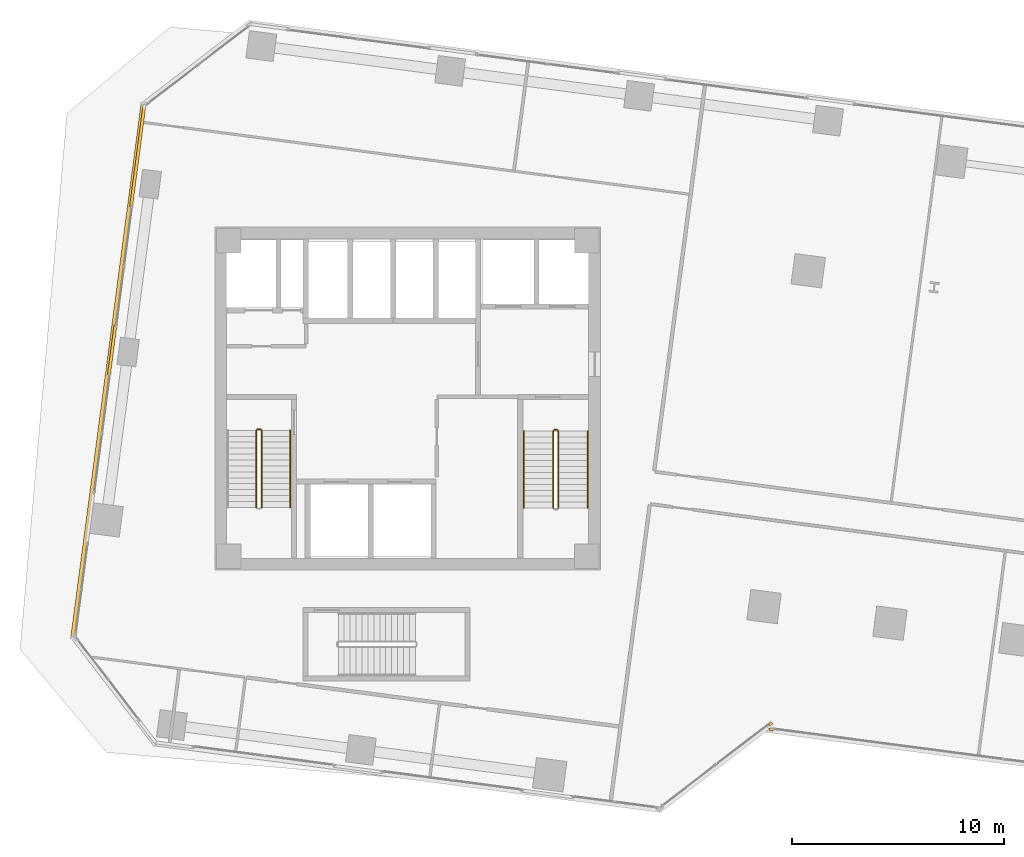
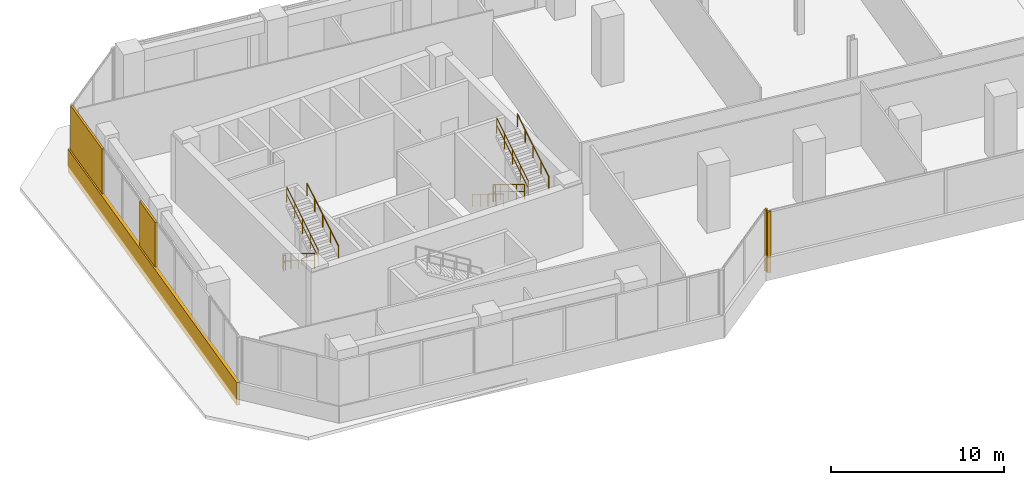
# One storey, part 22 of 24: 9 railings, 5 coverings.
"""IFC4 building model written with IfcOpenShell, lengths in metres."""

from ifc_helpers import new_model, si_unit, direction, frame, origin, origin_2d, place, context, subcontext, project, spatial, rectangle, circle, extrude, source, transform, mapped, material, layer, layer_set, type_object, element, save


model = new_model("IFC4")

# Units and contexts
model_context = context("Model", 3, precision=1e-05, world=origin(), true_north=direction((0.0, 1.0)))
body_context = subcontext(model_context, "Body", "Model", "MODEL_VIEW")
ifc_project = project(units=[si_unit("LENGTHUNIT", "METRE"), si_unit("AREAUNIT", "SQUARE_METRE"), si_unit("VOLUMEUNIT", "CUBIC_METRE"), si_unit("PLANEANGLEUNIT", "RADIAN"), si_unit("MASSUNIT", "GRAM", prefix="KILO")], contexts=[model_context])

# Site, building, storey
site_placement = place(None, origin())
site = spatial("IfcSite", under=ifc_project, at=site_placement, CompositionType="ELEMENT")
building_placement = place(site_placement, origin())
building = spatial("IfcBuilding", under=site, at=building_placement, Name="Torre Montelarca", CompositionType="ELEMENT")
storey_placement = place(building_placement, frame((0.0, 0.0, 61.60009765625)))
storey = spatial("IfcBuildingStorey", under=building, at=storey_placement, Name="L13", CompositionType="ELEMENT", Elevation=61.60009765625)

# Railings
ifc_material_1 = material(Name="Powder-coated steel ASTM A500 Grade C", Category="steel")
railing_type_1 = type_object("IfcRailingType", Name="RL-GUARD-1100", PredefinedType="BALUSTRADE", material=ifc_material_1)
railing_1_placement = place(storey_placement, frame((10.85009765625, 30.5, 0.17138671875)))
element("IfcRailing", 1, at=railing_1_placement, inside=storey, type_object=railing_type_1, Name="L13 ST1 stair guard 1", PredefinedType="BALUSTRADE", context=body_context, shape_type="SweptSolid", body=[
    extrude(circle(Radius=0.02392578125, at=origin_2d()), frame((0.0, 0.0, 1.076171875), z_axis=(0.0, -0.852850264322, 0.5221555579), x_axis=(1.0, 0.0, 0.0)), (0.0, 0.0, 1.0), 4.267822265625),
    extrude(circle(Radius=0.02099609375, at=origin_2d()), frame((0.0, 0.0, 0.572021484375), z_axis=(0.0, -0.852850264322, 0.5221555579), x_axis=(1.0, 0.0, 0.0)), (0.0, 0.0, 1.0), 4.267822265625),
    extrude(circle(Radius=0.02099609375, at=origin_2d()), origin(), (0.0, 0.0, 1.0), 1.052001953125),
    extrude(circle(Radius=0.02099609375, at=origin_2d()), frame((0.0, -0.909912109375, 0.55712890625)), (0.0, 0.0, 1.0), 1.052001953125),
    extrude(circle(Radius=0.02099609375, at=origin_2d()), frame((0.0, -1.81982421875, 1.1142578125)), (0.0, 0.0, 1.0), 1.052001953125),
    extrude(circle(Radius=0.02099609375, at=origin_2d()), frame((0.0, -2.72998046875, 1.67138671875)), (0.0, 0.0, 1.0), 1.052001953125),
    extrude(circle(Radius=0.02099609375, at=origin_2d()), frame((0.0, -3.639892578125, 2.228515625)), (0.0, 0.0, 1.0), 1.052001953125),
])
railing_2_placement = place(storey_placement, frame((11.10009765625, 26.860107421875, 2.5712890625)))
element("IfcRailing", 2, at=railing_2_placement, inside=storey, type_object=railing_type_1, Name="L13 ST1 stair guard 3", PredefinedType="BALUSTRADE", context=body_context, shape_type="SweptSolid", body=[
    extrude(circle(Radius=0.02392578125, at=origin_2d()), frame((0.0, 0.0, 1.076171875), z_axis=(0.0, 0.852850264322, 0.5221555579), x_axis=(-1.0, 0.0, 0.0)), (0.0, 0.0, 1.0), 4.267822265625),
    extrude(circle(Radius=0.02099609375, at=origin_2d()), frame((0.0, 0.0, 0.572021484375), z_axis=(0.0, 0.852850264322, 0.5221555579), x_axis=(-1.0, 0.0, 0.0)), (0.0, 0.0, 1.0), 4.267822265625),
    extrude(circle(Radius=0.02099609375, at=origin_2d()), origin(), (0.0, 0.0, 1.0), 1.052001953125),
    extrude(circle(Radius=0.02099609375, at=origin_2d()), frame((0.0, 0.909912109375, 0.55712890625)), (0.0, 0.0, 1.0), 1.052001953125),
    extrude(circle(Radius=0.02099609375, at=origin_2d()), frame((0.0, 1.81982421875, 1.1142578125)), (0.0, 0.0, 1.0), 1.052001953125),
    extrude(circle(Radius=0.02099609375, at=origin_2d()), frame((0.0, 2.72998046875, 1.67138671875)), (0.0, 0.0, 1.0), 1.052001953125),
    extrude(circle(Radius=0.02099609375, at=origin_2d()), frame((0.0, 3.639892578125, 2.228515625)), (0.0, 0.0, 1.0), 1.052001953125),
])
railing_3_placement = place(storey_placement, frame((10.89990234375, 30.550048828125, 0.0)))
element("IfcRailing", 3, at=railing_3_placement, inside=storey, type_object=railing_type_1, Name="L13 ST1 stair guard 4", PredefinedType="BALUSTRADE", context=body_context, shape_type="SweptSolid", body=[
    extrude(circle(Radius=0.02392578125, at=origin_2d()), frame((0.0, 0.0, 1.076171875), z_axis=(1.0, 0.0, 0.0), x_axis=(0.0, 1.0, 0.0)), (0.0, 0.0, 1.0), 0.150146484375),
    extrude(circle(Radius=0.02099609375, at=origin_2d()), frame((0.0, 0.0, 0.572021484375), z_axis=(1.0, 0.0, 0.0), x_axis=(0.0, 1.0, 0.0)), (0.0, 0.0, 1.0), 0.150146484375),
    extrude(circle(Radius=0.02099609375, at=origin_2d()), origin(), (0.0, 0.0, 1.0), 1.052001953125),
    extrude(circle(Radius=0.02099609375, at=origin_2d()), frame((0.150146484375, 0.0, 0.0)), (0.0, 0.0, 1.0), 1.052001953125),
])
railing_4_placement = place(storey_placement, frame((24.8701171875, 30.469970703125, 0.17138671875)))
element("IfcRailing", 4, at=railing_4_placement, inside=storey, type_object=railing_type_1, Name="L13 ST2 stair guard 1", PredefinedType="BALUSTRADE", context=body_context, shape_type="SweptSolid", body=[
    extrude(circle(Radius=0.02392578125, at=origin_2d()), frame((0.0, 0.0, 1.076171875), z_axis=(0.0, -0.852850264322, 0.5221555579), x_axis=(1.0, 0.0, 0.0)), (0.0, 0.0, 1.0), 4.267822265625),
    extrude(circle(Radius=0.02099609375, at=origin_2d()), frame((0.0, 0.0, 0.572021484375), z_axis=(0.0, -0.852850264322, 0.5221555579), x_axis=(1.0, 0.0, 0.0)), (0.0, 0.0, 1.0), 4.267822265625),
    extrude(circle(Radius=0.02099609375, at=origin_2d()), origin(), (0.0, 0.0, 1.0), 1.052001953125),
    extrude(circle(Radius=0.02099609375, at=origin_2d()), frame((0.0, -0.909912109375, 0.55712890625)), (0.0, 0.0, 1.0), 1.052001953125),
    extrude(circle(Radius=0.02099609375, at=origin_2d()), frame((0.0, -1.81982421875, 1.1142578125)), (0.0, 0.0, 1.0), 1.052001953125),
    extrude(circle(Radius=0.02099609375, at=origin_2d()), frame((0.0, -2.72998046875, 1.67138671875)), (0.0, 0.0, 1.0), 1.052001953125),
    extrude(circle(Radius=0.02099609375, at=origin_2d()), frame((0.0, -3.639892578125, 2.228515625)), (0.0, 0.0, 1.0), 1.052001953125),
])
railing_5_placement = place(storey_placement, frame((25.1201171875, 26.830078125, 2.5712890625)))
element("IfcRailing", 5, at=railing_5_placement, inside=storey, type_object=railing_type_1, Name="L13 ST2 stair guard 3", PredefinedType="BALUSTRADE", context=body_context, shape_type="SweptSolid", body=[
    extrude(circle(Radius=0.02392578125, at=origin_2d()), frame((0.0, 0.0, 1.076171875), z_axis=(0.0, 0.852850264322, 0.5221555579), x_axis=(-1.0, 0.0, 0.0)), (0.0, 0.0, 1.0), 4.267822265625),
    extrude(circle(Radius=0.02099609375, at=origin_2d()), frame((0.0, 0.0, 0.572021484375), z_axis=(0.0, 0.852850264322, 0.5221555579), x_axis=(-1.0, 0.0, 0.0)), (0.0, 0.0, 1.0), 4.267822265625),
    extrude(circle(Radius=0.02099609375, at=origin_2d()), origin(), (0.0, 0.0, 1.0), 1.052001953125),
    extrude(circle(Radius=0.02099609375, at=origin_2d()), frame((0.0, 0.909912109375, 0.55712890625)), (0.0, 0.0, 1.0), 1.052001953125),
    extrude(circle(Radius=0.02099609375, at=origin_2d()), frame((0.0, 1.81982421875, 1.1142578125)), (0.0, 0.0, 1.0), 1.052001953125),
    extrude(circle(Radius=0.02099609375, at=origin_2d()), frame((0.0, 2.72998046875, 1.67138671875)), (0.0, 0.0, 1.0), 1.052001953125),
    extrude(circle(Radius=0.02099609375, at=origin_2d()), frame((0.0, 3.639892578125, 2.228515625)), (0.0, 0.0, 1.0), 1.052001953125),
])
railing_6_placement = place(storey_placement, frame((24.919921875, 30.52001953125, 0.0)))
element("IfcRailing", 6, at=railing_6_placement, inside=storey, type_object=railing_type_1, Name="L13 ST2 stair guard 4", PredefinedType="BALUSTRADE", context=body_context, shape_type="SweptSolid", body=[
    extrude(circle(Radius=0.02392578125, at=origin_2d()), frame((0.0, 0.0, 1.076171875), z_axis=(1.0, 0.0, 0.0), x_axis=(0.0, 1.0, 0.0)), (0.0, 0.0, 1.0), 0.150146484375),
    extrude(circle(Radius=0.02099609375, at=origin_2d()), frame((0.0, 0.0, 0.572021484375), z_axis=(1.0, 0.0, 0.0), x_axis=(0.0, 1.0, 0.0)), (0.0, 0.0, 1.0), 0.150146484375),
    extrude(circle(Radius=0.02099609375, at=origin_2d()), origin(), (0.0, 0.0, 1.0), 1.052001953125),
    extrude(circle(Radius=0.02099609375, at=origin_2d()), frame((0.150146484375, 0.0, 0.0)), (0.0, 0.0, 1.0), 1.052001953125),
])
ifc_material_2 = material(Name="Brushed stainless steel AISI 316", Category="steel")
railing_type_2 = type_object("IfcRailingType", Name="RL-HANDRAIL-900", PredefinedType="HANDRAIL", material=ifc_material_2)
railing_7_placement = place(storey_placement, frame((12.449951171875, 26.860107421875, 2.5712890625)))
element("IfcRailing", 7, at=railing_7_placement, inside=storey, type_object=railing_type_2, Name="L13 ST1 stair handrail 2", PredefinedType="HANDRAIL", context=body_context, shape_type="SweptSolid", body=[
    extrude(circle(Radius=0.02392578125, at=origin_2d()), frame((0.0, 0.0, 0.8759765625), z_axis=(0.0, 0.852850264322, 0.5221555579), x_axis=(-1.0, 0.0, 0.0)), (0.0, 0.0, 1.0), 4.267822265625),
    extrude(circle(Radius=0.02099609375, at=origin_2d()), origin(), (0.0, 0.0, 1.0), 0.851806640625),
    extrude(circle(Radius=0.02099609375, at=origin_2d()), frame((0.0, 0.909912109375, 0.55712890625)), (0.0, 0.0, 1.0), 0.851806640625),
    extrude(circle(Radius=0.02099609375, at=origin_2d()), frame((0.0, 1.81982421875, 1.1142578125)), (0.0, 0.0, 1.0), 0.851806640625),
    extrude(circle(Radius=0.02099609375, at=origin_2d()), frame((0.0, 2.72998046875, 1.67138671875)), (0.0, 0.0, 1.0), 0.851806640625),
    extrude(circle(Radius=0.02099609375, at=origin_2d()), frame((0.0, 3.639892578125, 2.228515625)), (0.0, 0.0, 1.0), 0.851806640625),
])
railing_8_placement = place(storey_placement, frame((23.489990234375, 30.469970703125, 0.17138671875)))
element("IfcRailing", 8, at=railing_8_placement, inside=storey, type_object=railing_type_2, Name="L13 ST2 stair handrail 1", PredefinedType="HANDRAIL", context=body_context, shape_type="SweptSolid", body=[
    extrude(circle(Radius=0.02392578125, at=origin_2d()), frame((0.0, 0.0, 0.8759765625), z_axis=(0.0, -0.852850264322, 0.5221555579), x_axis=(1.0, 0.0, 0.0)), (0.0, 0.0, 1.0), 4.267822265625),
    extrude(circle(Radius=0.02099609375, at=origin_2d()), origin(), (0.0, 0.0, 1.0), 0.851806640625),
    extrude(circle(Radius=0.02099609375, at=origin_2d()), frame((0.0, -0.909912109375, 0.55712890625)), (0.0, 0.0, 1.0), 0.851806640625),
    extrude(circle(Radius=0.02099609375, at=origin_2d()), frame((0.0, -1.81982421875, 1.1142578125)), (0.0, 0.0, 1.0), 0.851806640625),
    extrude(circle(Radius=0.02099609375, at=origin_2d()), frame((0.0, -2.72998046875, 1.67138671875)), (0.0, 0.0, 1.0), 0.851806640625),
    extrude(circle(Radius=0.02099609375, at=origin_2d()), frame((0.0, -3.639892578125, 2.228515625)), (0.0, 0.0, 1.0), 0.851806640625),
])
railing_9_placement = place(storey_placement, frame((26.5, 26.830078125, 2.5712890625)))
element("IfcRailing", 9, at=railing_9_placement, inside=storey, type_object=railing_type_2, Name="L13 ST2 stair handrail 2", PredefinedType="HANDRAIL", context=body_context, shape_type="SweptSolid", body=[
    extrude(circle(Radius=0.02392578125, at=origin_2d()), frame((0.0, 0.0, 0.8759765625), z_axis=(0.0, 0.852850264322, 0.5221555579), x_axis=(-1.0, 0.0, 0.0)), (0.0, 0.0, 1.0), 4.267822265625),
    extrude(circle(Radius=0.02099609375, at=origin_2d()), origin(), (0.0, 0.0, 1.0), 0.851806640625),
    extrude(circle(Radius=0.02099609375, at=origin_2d()), frame((0.0, 0.909912109375, 0.55712890625)), (0.0, 0.0, 1.0), 0.851806640625),
    extrude(circle(Radius=0.02099609375, at=origin_2d()), frame((0.0, 1.81982421875, 1.1142578125)), (0.0, 0.0, 1.0), 0.851806640625),
    extrude(circle(Radius=0.02099609375, at=origin_2d()), frame((0.0, 2.72998046875, 1.67138671875)), (0.0, 0.0, 1.0), 0.851806640625),
    extrude(circle(Radius=0.02099609375, at=origin_2d()), frame((0.0, 3.639892578125, 2.228515625)), (0.0, 0.0, 1.0), 0.851806640625),
])

# Coverings
ifc_material_3 = material(Name="Bush-hammered warm white precast concrete C45/55", Category="concrete")
ifc_layer = layer(ifc_material_3, 0.139892578125, Name="Bush-hammered warm white precast concrete C45/55", Category="concrete")
ifc_layer_set = layer_set([ifc_layer], Name="Bush-hammered warm white precast concrete C45/55")
covering_type = type_object("IfcCoveringType", Name="COV-TRAY-CLAD", PredefinedType="CLADDING", material=ifc_layer_set)
shared_shape_1 = source(origin(), body_context, "Body", "SweptSolid", [
    extrude(rectangle(XDim=2.360107421875, YDim=0.139892578125, at=origin_2d()), origin(), (0.0, 0.0, 1.0), 4.320068359375),
])
covering_1_placement = place(storey_placement, frame((4.040771484375, 34.298583984375, 0.0), z_axis=(0.0, 0.0, 1.0), x_axis=(-0.130527922618, -0.991444633561, 0.0)))
element("IfcCovering", 10, at=covering_1_placement, inside=storey, type_object=covering_type, Name="L13 Architectural Column Pier Cladding E10-3", PredefinedType="CLADDING", context=body_context, shape_type="MappedRepresentation", body=[
    mapped(shared_shape_1, transform((0.0, 0.0, 0.0), scale=1.0)),
])
shared_shape_2 = source(origin(), body_context, "Body", "SweptSolid", [
    extrude(rectangle(XDim=0.199951171875, YDim=0.139892578125, at=origin_2d()), origin(), (0.0, 0.0, 1.0), 4.320068359375),
])
for number, where, z_axis, x_axis, name in (
    (11, (35.125, 16.631591796875, 0.0), (0.0, 0.0, 1.0), (0.793349090315, 0.608766967645, 0.0), "L13 Architectural Column Pier Cladding E02-2"),
    (12, (35.169189453125, 16.3720703125, 0.0), (0.0, 0.0, 1.0), (0.991444861374, -0.13052619222, 0.0), "L13 Architectural Column Pier Cladding E04-1"),
):
    element("IfcCovering", number, at=place(storey_placement, frame(where, z_axis=z_axis, x_axis=x_axis)), inside=storey, type_object=covering_type, Name=name, PredefinedType="CLADDING", context=body_context, shape_type="MappedRepresentation", body=[
        mapped(shared_shape_2, transform((0.0, 0.0, 0.0), scale=1.0)),
    ])
shared_shape_3 = source(origin(), body_context, "Body", "SweptSolid", [
    extrude(rectangle(XDim=4.76416015625, YDim=0.139892578125, at=origin_2d()), origin(), (0.0, 0.0, 1.0), 4.320068359375),
])
covering_2_placement = place(storey_placement, frame((5.24169921875, 43.421875, 0.0), z_axis=(0.0, 0.0, 1.0), x_axis=(-0.130527922618, -0.991444633561, 0.0)))
element("IfcCovering", 13, at=covering_2_placement, inside=storey, type_object=covering_type, Name="L13 Architectural Column Pier Cladding E10-2", PredefinedType="CLADDING", context=body_context, shape_type="MappedRepresentation", body=[
    mapped(shared_shape_3, transform((0.0, 0.0, 0.0), scale=1.0)),
])
shared_shape_4 = source(origin(), body_context, "Body", "SweptSolid", [
    extrude(rectangle(XDim=25.52001953125, YDim=0.219970703125, at=origin_2d()), origin(), (0.0, 0.0, 1.0), 1.6201171875),
])
covering_3_placement = place(storey_placement, frame((3.8505859375, 33.31494140625, -0.4501953125), z_axis=(0.0, 0.0, 1.0), x_axis=(-0.130527922618, -0.991444633561, 0.0)))
element("IfcCovering", 14, at=covering_3_placement, inside=storey, type_object=covering_type, Name="L13 Architectural White Spandrel Tray Band TRYBOT-10", PredefinedType="CLADDING", context=body_context, shape_type="MappedRepresentation", body=[
    mapped(shared_shape_4, transform((0.0, 0.0, 0.0), scale=1.0)),
])

save(model, "model.ifc")
